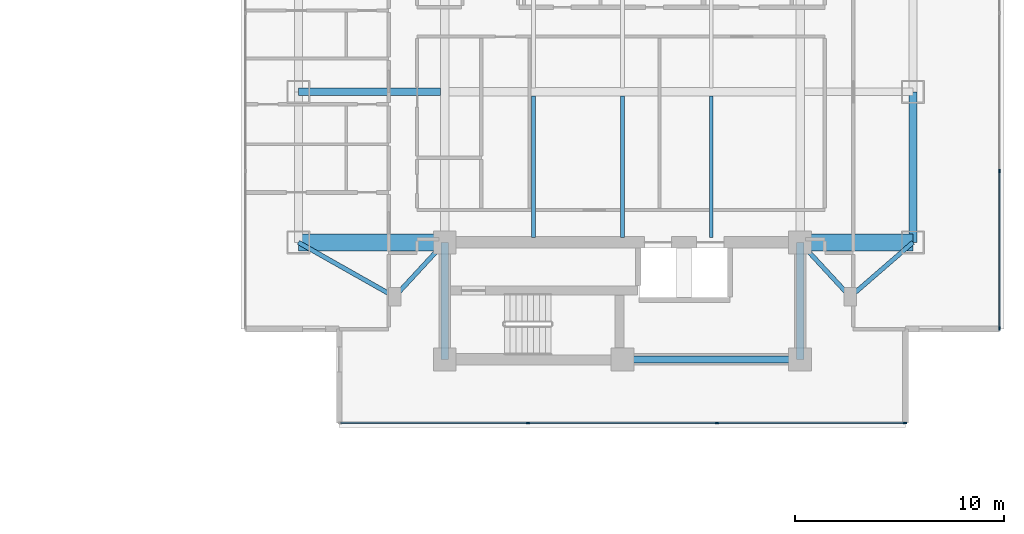
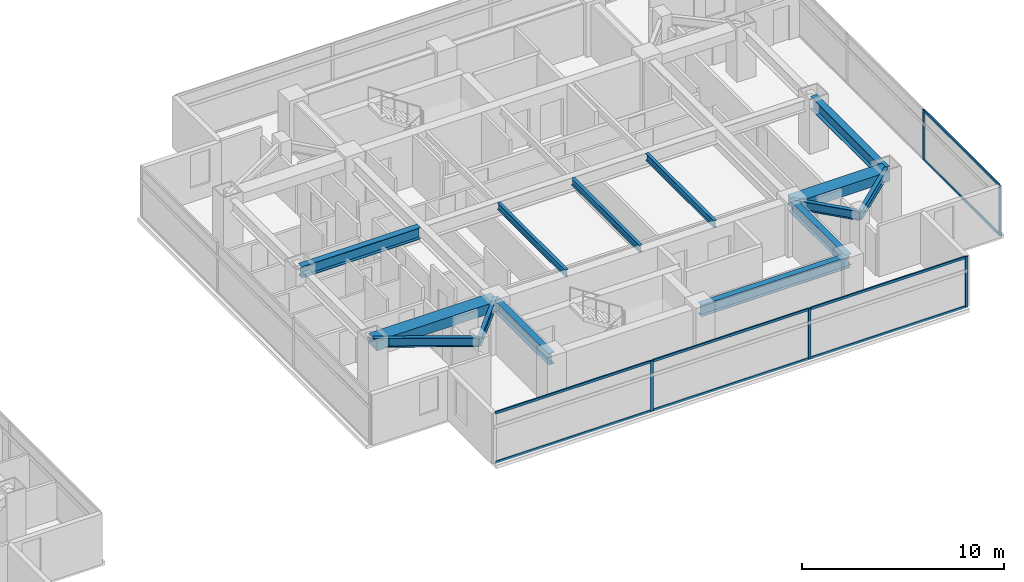
# One storey, part 8 of 24: 14 beams, 13 members, 2 elements without a shape of their own.
"""IFC4 building model written with IfcOpenShell, lengths in metres."""

from ifc_helpers import new_model, si_unit, direction, frame, origin, origin_2d, place, context, subcontext, project, spatial, rectangle, i_section, extrude, material, material_profile, profile_set, type_object, element, aggregate, save


model = new_model("IFC4")

# Units and contexts
model_context = context("Model", 3, precision=1e-05, world=origin(), true_north=direction((0.0, 1.0)))
body_context = subcontext(model_context, "Body", "Model", "MODEL_VIEW")
ifc_project = project(units=[si_unit("LENGTHUNIT", "METRE"), si_unit("AREAUNIT", "SQUARE_METRE"), si_unit("VOLUMEUNIT", "CUBIC_METRE"), si_unit("PLANEANGLEUNIT", "RADIAN"), si_unit("MASSUNIT", "GRAM", prefix="KILO")], contexts=[model_context])

# Site, building, storey
site_placement = place(None, origin())
site = spatial("IfcSite", under=ifc_project, at=site_placement, CompositionType="ELEMENT")
building_placement = place(site_placement, origin())
building = spatial("IfcBuilding", under=site, at=building_placement, Name="Mirazonda Arch Towers", CompositionType="ELEMENT")
storey_placement = place(building_placement, frame((0.0, 0.0, 134.60009765625)))
storey = spatial("IfcBuildingStorey", under=building, at=storey_placement, Name="L38", CompositionType="ELEMENT", Elevation=134.60009765625)

# Beams
ifc_material_1 = material(Name="Steel ASTM A992 Grade 50", Category="steel")
ifc_material_profile_1 = material_profile(ifc_material_1, i_section(OverallWidth=0.381103515625, OverallDepth=0.77294921875, WebThickness=0.0166015625, FlangeThickness=0.027099609375, at=origin_2d()), Name="W30X173")
ifc_profile_set_1 = profile_set([ifc_material_profile_1], Name="Steel ASTM A992 Grade 50")
beam_type_1 = type_object("IfcBeamType", Name="BM-EXT-W30X173", PredefinedType="USERDEFINED", material=ifc_profile_set_1)
beam_1_placement = place(storey_placement, frame((90.39990234375, 20.800048828125, 2.693359375), z_axis=(0.0, 1.0, 0.0), x_axis=(-1.0, 0.0, 0.0)))
element("IfcBeam", 1, at=beam_1_placement, inside=storey, type_object=beam_type_1, Name="L38 Floor Beam BM-T2-L38-NS-E-20", ObjectType="GIRDER", PredefinedType="USERDEFINED", context=body_context, shape_type="SweptSolid", body=[
    extrude(i_section(OverallWidth=0.381103515625, OverallDepth=0.77294921875, WebThickness=0.0166015625, FlangeThickness=0.027099609375, at=origin_2d()), origin(), (0.0, 0.0, 1.0), 7.199951171875),
])
ifc_material_profile_2 = material_profile(ifc_material_1, i_section(OverallWidth=0.180908203125, OverallDepth=0.4169921875, WebThickness=0.010986328125, FlangeThickness=0.018310546875, at=origin_2d()), Name="W16X57")
ifc_profile_set_2 = profile_set([ifc_material_profile_2], Name="Steel ASTM A992 Grade 50")
beam_type_2 = type_object("IfcBeamType", Name="BM-INT-W16X57", PredefinedType="JOIST", material=ifc_profile_set_2)
for number, where, z_axis, x_axis, name in (
    (2, (72.25, 21.0400390625, 2.871337890625), (0.0, 1.0, 0.0), (-1.0, 0.0, 0.0), "L38 Floor Beam BM-T2-L38-J-722-20"),
    (3, (76.5, 21.0400390625, 2.871337890625), (0.0, 1.0, 0.0), (-1.0, 0.0, 0.0), "L38 Floor Beam BM-T2-L38-J-765-20"),
    (4, (80.75, 21.0400390625, 2.871337890625), (0.0, 1.0, 0.0), (-1.0, 0.0, 0.0), "L38 Floor Beam BM-T2-L38-J-807-20"),
):
    element("IfcBeam", number, at=place(storey_placement, frame(where, z_axis=z_axis, x_axis=x_axis)), inside=storey, type_object=beam_type_2, Name=name, PredefinedType="JOIST", context=body_context, shape_type="SweptSolid", body=[
        extrude(i_section(OverallWidth=0.180908203125, OverallDepth=0.4169921875, WebThickness=0.010986328125, FlangeThickness=0.018310546875, at=origin_2d()), origin(), (0.0, 0.0, 1.0), 6.763916015625),
    ])
ifc_material_profile_3 = material_profile(ifc_material_1, i_section(OverallWidth=0.214111328125, OverallDepth=0.549072265625, WebThickness=0.0146484375, FlangeThickness=0.023681640625, at=origin_2d()), Name="W21X93")
ifc_profile_set_3 = profile_set([ifc_material_profile_3], Name="Steel ASTM A992 Grade 50")
beam_type_3 = type_object("IfcBeamType", Name="BM-INT-W21X93", PredefinedType="BEAM", material=ifc_profile_set_3)
beam_2_placement = place(storey_placement, frame((65.60009765625, 18.199951171875, 2.805419921875), z_axis=(0.678251444854, 0.734829897019, 0.0), x_axis=(-0.734829897019, 0.678251444854, 0.0)))
element("IfcBeam", 5, at=beam_2_placement, inside=storey, type_object=beam_type_3, Name="L38 Floor Beam BM-T2-L38-PL-SW1", PredefinedType="BEAM", context=body_context, shape_type="SweptSolid", body=[
    extrude(i_section(OverallWidth=0.214111328125, OverallDepth=0.549072265625, WebThickness=0.0146484375, FlangeThickness=0.023681640625, at=origin_2d()), origin(), (0.0, 0.0, 1.0), 3.538330078125),
])
beam_3_placement = place(storey_placement, frame((65.60009765625, 18.199951171875, 2.805419921875), z_axis=(-0.870559396632, 0.492063346467, 0.0), x_axis=(-0.492063346467, -0.870559396632, 0.0)))
element("IfcBeam", 6, at=beam_3_placement, inside=storey, type_object=beam_type_3, Name="L38 Floor Beam BM-T2-L38-PL-SW2", PredefinedType="BEAM", context=body_context, shape_type="SweptSolid", body=[
    extrude(i_section(OverallWidth=0.214111328125, OverallDepth=0.549072265625, WebThickness=0.0146484375, FlangeThickness=0.023681640625, at=origin_2d()), origin(), (0.0, 0.0, 1.0), 5.2841796875),
])
beam_4_placement = place(storey_placement, frame((87.39990234375, 18.199951171875, 2.805419921875), z_axis=(-0.678251444854, 0.734829897019, 0.0), x_axis=(-0.734829897019, -0.678251444854, 0.0)))
element("IfcBeam", 7, at=beam_4_placement, inside=storey, type_object=beam_type_3, Name="L38 Floor Beam BM-T2-L38-PL-SE1", PredefinedType="BEAM", context=body_context, shape_type="SweptSolid", body=[
    extrude(i_section(OverallWidth=0.214111328125, OverallDepth=0.549072265625, WebThickness=0.0146484375, FlangeThickness=0.023681640625, at=origin_2d()), origin(), (0.0, 0.0, 1.0), 3.538330078125),
])
beam_5_placement = place(storey_placement, frame((87.39990234375, 18.199951171875, 2.805419921875), z_axis=(0.755676908098, 0.654944585876, 0.0), x_axis=(-0.654944585876, 0.755676908098, 0.0)))
element("IfcBeam", 8, at=beam_5_placement, inside=storey, type_object=beam_type_3, Name="L38 Floor Beam BM-T2-L38-PL-SE2", PredefinedType="BEAM", context=body_context, shape_type="SweptSolid", body=[
    extrude(i_section(OverallWidth=0.214111328125, OverallDepth=0.549072265625, WebThickness=0.0146484375, FlangeThickness=0.023681640625, at=origin_2d()), origin(), (0.0, 0.0, 1.0), 3.969970703125),
])
ifc_material_profile_4 = material_profile(ifc_material_1, i_section(OverallWidth=0.35498046875, OverallDepth=0.696044921875, WebThickness=0.015380859375, FlangeThickness=0.02490234375, at=origin_2d()), Name="W27X146")
ifc_profile_set_4 = profile_set([ifc_material_profile_4], Name="Steel ASTM A992 Grade 50")
beam_type_4 = type_object("IfcBeamType", Name="BM-INT-W27X146", PredefinedType="BEAM", material=ifc_profile_set_4)
beam_6_placement = place(storey_placement, frame((76.5, 15.199951171875, 2.73193359375), z_axis=(1.0, 0.0, 0.0), x_axis=(0.0, 1.0, 0.0)))
element("IfcBeam", 9, at=beam_6_placement, inside=storey, type_object=beam_type_4, Name="L38 Floor Beam BM-T2-L38-CS2", PredefinedType="BEAM", context=body_context, shape_type="SweptSolid", body=[
    extrude(i_section(OverallWidth=0.35498046875, OverallDepth=0.696044921875, WebThickness=0.015380859375, FlangeThickness=0.02490234375, at=origin_2d()), origin(), (0.0, 0.0, 1.0), 8.5),
])
for number, where, z_axis, x_axis, name in (
    (10, (68.0, 15.199951171875, 2.73193359375), (0.0, 1.0, 0.0), (-1.0, 0.0, 0.0), "L38 Floor Beam BM-T2-L38-CSW"),
    (11, (85.0, 15.199951171875, 2.73193359375), (0.0, 1.0, 0.0), (-1.0, 0.0, 0.0), "L38 Floor Beam BM-T2-L38-CSE"),
):
    element("IfcBeam", number, at=place(storey_placement, frame(where, z_axis=z_axis, x_axis=x_axis)), inside=storey, type_object=beam_type_4, Name=name, PredefinedType="BEAM", context=body_context, shape_type="SweptSolid", body=[
        extrude(i_section(OverallWidth=0.35498046875, OverallDepth=0.696044921875, WebThickness=0.015380859375, FlangeThickness=0.02490234375, at=origin_2d()), origin(), (0.0, 0.0, 1.0), 5.60009765625),
    ])
beam_7_placement = place(storey_placement, frame((61.0, 28.0, 2.73193359375), z_axis=(1.0, 0.0, 0.0), x_axis=(0.0, 1.0, 0.0)))
element("IfcBeam", 12, at=beam_7_placement, inside=storey, type_object=beam_type_4, Name="L38 Floor Beam BM-T2-L38-GW2", PredefinedType="BEAM", context=body_context, shape_type="SweptSolid", body=[
    extrude(i_section(OverallWidth=0.35498046875, OverallDepth=0.696044921875, WebThickness=0.015380859375, FlangeThickness=0.02490234375, at=origin_2d()), origin(), (0.0, 0.0, 1.0), 6.800048828125),
])
ifc_material_2 = material(Name="Concrete C60/75", Category="concrete")
ifc_material_profile_5 = material_profile(ifc_material_2, rectangle(XDim=0.800048828125, YDim=0.60009765625, at=origin_2d()), Name="RCCB800x600")
ifc_profile_set_5 = profile_set([ifc_material_profile_5], Name="Concrete C60/75")
beam_type_5 = type_object("IfcBeamType", Name="CB-INT-RCCB800x600", PredefinedType="SPANDREL", material=ifc_profile_set_5)
beam_8_placement = place(storey_placement, frame((61.0, 20.800048828125, 2.77978515625), z_axis=(1.0, 0.0, 0.0), x_axis=(0.0, 1.0, 0.0)))
element("IfcBeam", 13, at=beam_8_placement, inside=storey, type_object=beam_type_5, Name="L38 Floor Beam CBC-T2-L38-SW", PredefinedType="SPANDREL", context=body_context, shape_type="SweptSolid", body=[
    extrude(rectangle(XDim=0.800048828125, YDim=0.60009765625, at=origin_2d()), origin(), (0.0, 0.0, 1.0), 7.0),
])
beam_9_placement = place(storey_placement, frame((85.0, 20.800048828125, 2.77978515625), z_axis=(1.0, 0.0, 0.0), x_axis=(0.0, 1.0, 0.0)))
element("IfcBeam", 14, at=beam_9_placement, inside=storey, type_object=beam_type_5, Name="L38 Floor Beam CBC-T2-L38-SE", PredefinedType="SPANDREL", context=body_context, shape_type="SweptSolid", body=[
    extrude(rectangle(XDim=0.800048828125, YDim=0.60009765625, at=origin_2d()), origin(), (0.0, 0.0, 1.0), 5.39990234375),
])

# Curtain wall, members
ifc_material_3 = material(Name="Anodised Aluminium and Low-E Glass", Category="aluminium")
curtain_wall_type = type_object("IfcCurtainWallType", Name="CW-HTL-UNIT", PredefinedType="NOTDEFINED", material=ifc_material_3)
curtain_wall_1_placement = place(storey_placement, origin())
curtain_wall_1 = element("IfcCurtainWall", 15, at=curtain_wall_1_placement, inside=storey, type_object=curtain_wall_type, Name="L38 T2 S Facade CW-L38-T2-S", PredefinedType="NOTDEFINED")
ifc_material_4 = material(Name="Anodised Aluminium Alloy", Category="aluminium")
ifc_material_profile_6 = material_profile(ifc_material_4, rectangle(XDim=0.074951171875, YDim=0.1650390625, at=origin_2d()), Name="ALU-MULL-75x165")
ifc_profile_set_6 = profile_set([ifc_material_profile_6], Name="Anodised Aluminium Alloy")
member_type_1 = type_object("IfcMemberType", Name="MULL-CW-HTL-UNIT", PredefinedType="MULLION", material=ifc_profile_set_6)
member_1_placement = place(storey_placement, frame((90.010986328125, 12.16455078125, 0.0), z_axis=(0.0, 0.0, 1.0), x_axis=(0.0, -1.0, 0.0)))
member_1 = element("IfcMember", 16, at=member_1_placement, type_object=member_type_1, Name="CW-112 mullion 1", PredefinedType="MULLION", context=body_context, shape_type="SweptSolid", body=[
    extrude(rectangle(XDim=0.074951171875, YDim=0.1650390625, at=origin_2d()), origin(), (0.0, 0.0, 1.0), 3.059814453125),
])
member_2_placement = place(storey_placement, frame((81.01611328125, 12.16455078125, 0.0), z_axis=(0.0, 0.0, 1.0), x_axis=(0.0, -1.0, 0.0)))
member_2 = element("IfcMember", 17, at=member_2_placement, type_object=member_type_1, Name="CW-112 mullion 2", PredefinedType="MULLION", context=body_context, shape_type="SweptSolid", body=[
    extrude(rectangle(XDim=0.074951171875, YDim=0.1650390625, at=origin_2d()), origin(), (0.0, 0.0, 1.0), 3.059814453125),
])
member_3_placement = place(storey_placement, frame((71.98388671875, 12.16455078125, 0.0), z_axis=(0.0, 0.0, 1.0), x_axis=(0.0, -1.0, 0.0)))
member_3 = element("IfcMember", 18, at=member_3_placement, type_object=member_type_1, Name="CW-112 mullion 3", PredefinedType="MULLION", context=body_context, shape_type="SweptSolid", body=[
    extrude(rectangle(XDim=0.074951171875, YDim=0.1650390625, at=origin_2d()), origin(), (0.0, 0.0, 1.0), 3.059814453125),
])

curtain_wall_2_placement = place(storey_placement, origin())
curtain_wall_2 = element("IfcCurtainWall", 19, at=curtain_wall_2_placement, inside=storey, type_object=curtain_wall_type, Name="L38 T2 E Facade CW-L38-T2-E", PredefinedType="NOTDEFINED")
member_4_placement = place(storey_placement, frame((94.534912109375, 16.6884765625, 0.0), z_axis=(0.0, 0.0, 1.0), x_axis=(-1.0, 0.0, 0.0)))
member_4 = element("IfcMember", 20, at=member_4_placement, type_object=member_type_1, Name="CW-112 mullion 1", PredefinedType="MULLION", context=body_context, shape_type="SweptSolid", body=[
    extrude(rectangle(XDim=0.074951171875, YDim=0.1650390625, at=origin_2d()), origin(), (0.0, 0.0, 1.0), 3.059814453125),
])
member_5_placement = place(storey_placement, frame((94.534912109375, 24.217041015625, 0.0), z_axis=(0.0, 0.0, 1.0), x_axis=(-1.0, 0.0, 0.0)))
member_5 = element("IfcMember", 21, at=member_5_placement, type_object=member_type_1, Name="CW-112 mullion 2", PredefinedType="MULLION", context=body_context, shape_type="SweptSolid", body=[
    extrude(rectangle(XDim=0.074951171875, YDim=0.1650390625, at=origin_2d()), origin(), (0.0, 0.0, 1.0), 3.059814453125),
])

# Member
ifc_material_profile_7 = material_profile(ifc_material_4, rectangle(XDim=0.074951171875, YDim=0.14501953125, at=origin_2d()), Name="ALU-TRAN-75x145")
ifc_profile_set_7 = profile_set([ifc_material_profile_7], Name="Anodised Aluminium Alloy")
member_type_2 = type_object("IfcMemberType", Name="TRAN-CW-HTL-UNIT", PredefinedType="USERDEFINED", material=ifc_profile_set_7)
member_6_placement = place(storey_placement, frame((89.973388671875, 12.16455078125, 0.037353515625), z_axis=(-1.0, 0.0, 0.0), x_axis=(0.0, -1.0, 0.0)))
member_6 = element("IfcMember", 22, at=member_6_placement, type_object=member_type_2, Name="CW-112 transom 1.1", ObjectType="TRANSOM", PredefinedType="USERDEFINED", context=body_context, shape_type="SweptSolid", body=[
    extrude(rectangle(XDim=0.074951171875, YDim=0.14501953125, at=origin_2d()), origin(), (0.0, 0.0, 1.0), 8.919677734375),
])

member_7_placement = place(storey_placement, frame((89.973388671875, 12.16455078125, 3.0224609375), z_axis=(-1.0, 0.0, 0.0), x_axis=(0.0, -1.0, 0.0)))
member_7 = element("IfcMember", 23, at=member_7_placement, type_object=member_type_2, Name="CW-112 transom 1.2", ObjectType="TRANSOM", PredefinedType="USERDEFINED", context=body_context, shape_type="SweptSolid", body=[
    extrude(rectangle(XDim=0.074951171875, YDim=0.14501953125, at=origin_2d()), origin(), (0.0, 0.0, 1.0), 8.919677734375),
])

member_8_placement = place(storey_placement, frame((80.978759765625, 12.16455078125, 0.037353515625), z_axis=(-1.0, 0.0, 0.0), x_axis=(0.0, -1.0, 0.0)))
member_8 = element("IfcMember", 24, at=member_8_placement, type_object=member_type_2, Name="CW-112 transom 2.1", ObjectType="TRANSOM", PredefinedType="USERDEFINED", context=body_context, shape_type="SweptSolid", body=[
    extrude(rectangle(XDim=0.074951171875, YDim=0.14501953125, at=origin_2d()), origin(), (0.0, 0.0, 1.0), 8.95751953125),
])

member_9_placement = place(storey_placement, frame((80.978759765625, 12.16455078125, 3.0224609375), z_axis=(-1.0, 0.0, 0.0), x_axis=(0.0, -1.0, 0.0)))
member_9 = element("IfcMember", 25, at=member_9_placement, type_object=member_type_2, Name="CW-112 transom 2.2", ObjectType="TRANSOM", PredefinedType="USERDEFINED", context=body_context, shape_type="SweptSolid", body=[
    extrude(rectangle(XDim=0.074951171875, YDim=0.14501953125, at=origin_2d()), origin(), (0.0, 0.0, 1.0), 8.95751953125),
])

member_10_placement = place(storey_placement, frame((71.9462890625, 12.16455078125, 0.037353515625), z_axis=(-1.0, 0.0, 0.0), x_axis=(0.0, -1.0, 0.0)))
member_10 = element("IfcMember", 26, at=member_10_placement, type_object=member_type_2, Name="CW-112 transom 3.1", ObjectType="TRANSOM", PredefinedType="USERDEFINED", context=body_context, shape_type="SweptSolid", body=[
    extrude(rectangle(XDim=0.074951171875, YDim=0.14501953125, at=origin_2d()), origin(), (0.0, 0.0, 1.0), 8.919677734375),
])

member_11_placement = place(storey_placement, frame((71.9462890625, 12.16455078125, 3.0224609375), z_axis=(-1.0, 0.0, 0.0), x_axis=(0.0, -1.0, 0.0)))
member_11 = element("IfcMember", 27, at=member_11_placement, type_object=member_type_2, Name="CW-112 transom 3.2", ObjectType="TRANSOM", PredefinedType="USERDEFINED", context=body_context, shape_type="SweptSolid", body=[
    extrude(rectangle(XDim=0.074951171875, YDim=0.14501953125, at=origin_2d()), origin(), (0.0, 0.0, 1.0), 8.919677734375),
])

aggregate(curtain_wall_1, [member_1, member_2, member_3, member_6, member_7, member_8, member_9, member_10, member_11])

member_12_placement = place(storey_placement, frame((94.534912109375, 16.72607421875, 0.037353515625), z_axis=(0.0, 1.0, 0.0), x_axis=(-1.0, 0.0, 0.0)))
member_12 = element("IfcMember", 28, at=member_12_placement, type_object=member_type_2, Name="CW-112 transom 1.1", ObjectType="TRANSOM", PredefinedType="USERDEFINED", context=body_context, shape_type="SweptSolid", body=[
    extrude(rectangle(XDim=0.074951171875, YDim=0.14501953125, at=origin_2d()), origin(), (0.0, 0.0, 1.0), 7.453369140625),
])

member_13_placement = place(storey_placement, frame((94.534912109375, 16.72607421875, 3.0224609375), z_axis=(0.0, 1.0, 0.0), x_axis=(-1.0, 0.0, 0.0)))
member_13 = element("IfcMember", 29, at=member_13_placement, type_object=member_type_2, Name="CW-112 transom 1.2", ObjectType="TRANSOM", PredefinedType="USERDEFINED", context=body_context, shape_type="SweptSolid", body=[
    extrude(rectangle(XDim=0.074951171875, YDim=0.14501953125, at=origin_2d()), origin(), (0.0, 0.0, 1.0), 7.453369140625),
])

aggregate(curtain_wall_2, [member_4, member_5, member_12, member_13])

save(model, "model.ifc")
